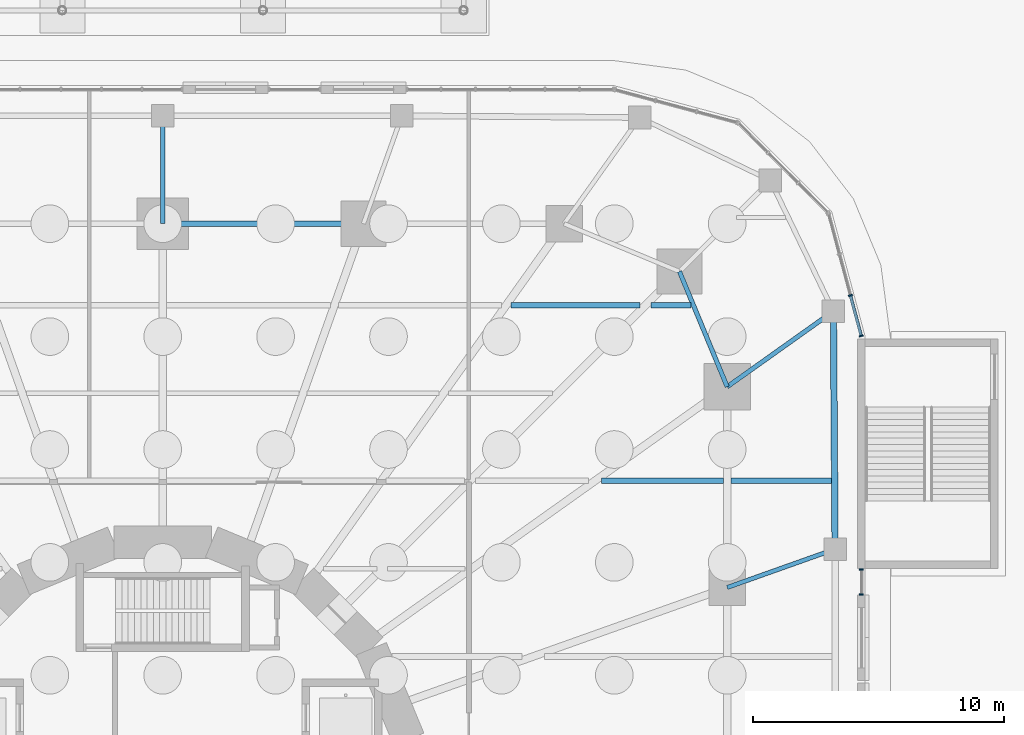
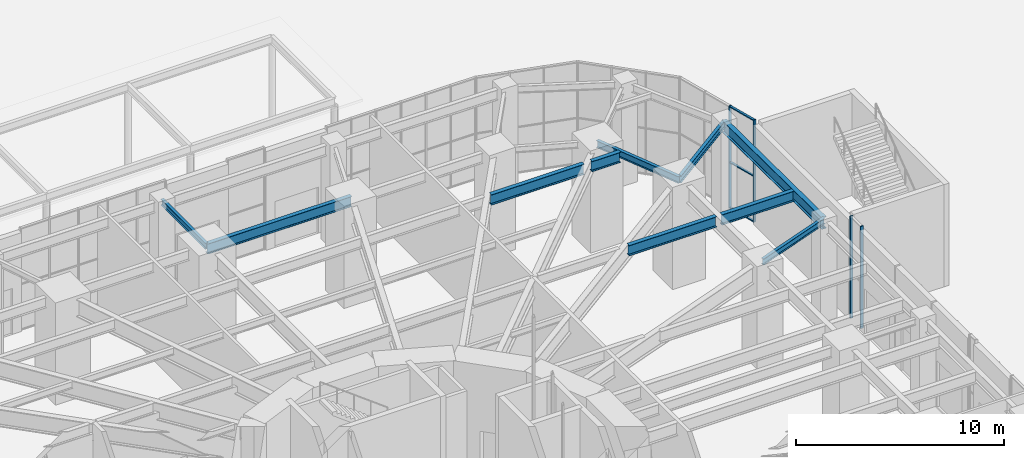
# One storey, part 16 of 43: 10 beams, 7 members, 2 elements without a shape of their own.
"""IFC4 building model written with IfcOpenShell, lengths in metres."""

from ifc_helpers import new_model, si_unit, direction, frame, origin, origin_2d, place, context, subcontext, project, spatial, rectangle, i_section, extrude, material, material_profile, profile_set, type_object, element, aggregate, save


model = new_model("IFC4")

# Units and contexts
model_context = context("Model", 3, precision=1e-05, world=origin(), true_north=direction((0.0, 1.0)))
body_context = subcontext(model_context, "Body", "Model", "MODEL_VIEW")
ifc_project = project(units=[si_unit("LENGTHUNIT", "METRE"), si_unit("AREAUNIT", "SQUARE_METRE"), si_unit("VOLUMEUNIT", "CUBIC_METRE"), si_unit("PLANEANGLEUNIT", "RADIAN"), si_unit("MASSUNIT", "GRAM", prefix="KILO")], contexts=[model_context])

# Site, building, storey
site_placement = place(None, origin())
site = spatial("IfcSite", under=ifc_project, at=site_placement, CompositionType="ELEMENT")
building_placement = place(site_placement, origin())
building = spatial("IfcBuilding", under=site, at=building_placement, Name="Nakasero Lantern House", CompositionType="ELEMENT")
storey_placement = place(building_placement, origin())
storey = spatial("IfcBuildingStorey", under=building, at=storey_placement, Name="L00", CompositionType="ELEMENT", Elevation=0.0)

# Beams
ifc_material_1 = material(Name="Steel S355", Category="steel")
ifc_material_profile_1 = material_profile(ifc_material_1, i_section(OverallWidth=0.22900390625, OverallDepth=0.6123046875, WebThickness=0.011962890625, FlangeThickness=0.01953125, FilletRadius=0.0126953125, at=origin_2d()), Name="UB 610x229x125")
ifc_profile_set_1 = profile_set([ifc_material_profile_1], Name="Steel S355")
beam_type_1 = type_object("IfcBeamType", Name="Infill beam UB 610x229x125", PredefinedType="JOIST", material=ifc_profile_set_1)
beam_1_placement = place(storey_placement, frame((17.488037109375, 12.25, 5.493896484375), z_axis=(1.0, 0.0, 0.0), x_axis=(0.0, 1.0, 0.0)))
element("IfcBeam", 1, at=beam_1_placement, inside=storey, type_object=beam_type_1, Name="Infill beam L01 12.11", PredefinedType="JOIST", context=body_context, shape_type="SweptSolid", body=[
    extrude(i_section(OverallWidth=0.22900390625, OverallDepth=0.6123046875, WebThickness=0.011962890625, FlangeThickness=0.01953125, FilletRadius=0.0126953125, at=origin_2d()), origin(), (0.0, 0.0, 1.0), 4.862060546875),
])
beam_2_placement = place(storey_placement, frame((22.64990234375, 12.25, 5.493896484375), z_axis=(1.0, 0.0, 0.0), x_axis=(0.0, 1.0, 0.0)))
element("IfcBeam", 2, at=beam_2_placement, inside=storey, type_object=beam_type_1, Name="Infill beam L01 12.12", PredefinedType="JOIST", context=body_context, shape_type="SweptSolid", body=[
    extrude(i_section(OverallWidth=0.22900390625, OverallDepth=0.6123046875, WebThickness=0.011962890625, FlangeThickness=0.01953125, FilletRadius=0.0126953125, at=origin_2d()), origin(), (0.0, 0.0, 1.0), 4.003173828125),
])
beam_3_placement = place(storey_placement, frame((13.876220703125, 19.25, 5.493896484375), z_axis=(1.0, 0.0, 0.0), x_axis=(0.0, 1.0, 0.0)))
element("IfcBeam", 3, at=beam_3_placement, inside=storey, type_object=beam_type_1, Name="Infill beam L01 14.7", PredefinedType="JOIST", context=body_context, shape_type="SweptSolid", body=[
    extrude(i_section(OverallWidth=0.22900390625, OverallDepth=0.6123046875, WebThickness=0.011962890625, FlangeThickness=0.01953125, FilletRadius=0.0126953125, at=origin_2d()), origin(), (0.0, 0.0, 1.0), 5.15771484375),
])
beam_4_placement = place(storey_placement, frame((19.466064453125, 19.25, 5.493896484375), z_axis=(1.0, 0.0, 0.0), x_axis=(0.0, 1.0, 0.0)))
element("IfcBeam", 4, at=beam_4_placement, inside=storey, type_object=beam_type_1, Name="Infill beam L01 14.8", PredefinedType="JOIST", context=body_context, shape_type="SweptSolid", body=[
    extrude(i_section(OverallWidth=0.22900390625, OverallDepth=0.6123046875, WebThickness=0.011962890625, FlangeThickness=0.01953125, FilletRadius=0.0126953125, at=origin_2d()), origin(), (0.0, 0.0, 1.0), 1.591552734375),
])

# Curtain wall, members
ifc_material_2 = material(Name="Aluminium 6063-T6 and glass", Category="aluminium")
curtain_wall_type = type_object("IfcCurtainWallType", Name="Podium shopfront glazing CW-1", PredefinedType="USERDEFINED", material=ifc_material_2)
curtain_wall_1_placement = place(storey_placement, origin())
curtain_wall_1 = element("IfcCurtainWall", 5, at=curtain_wall_1_placement, inside=storey, type_object=curtain_wall_type, Name="Curtain wall CW-1 L00", ObjectType="STICK CURTAIN WALL", PredefinedType="USERDEFINED")
ifc_material_3 = material(Name="Aluminium 6063-T6", Category="aluminium")
ifc_material_profile_2 = material_profile(ifc_material_3, rectangle(XDim=0.06005859375, YDim=0.159912109375, at=origin_2d()), Name="CW-1 mullion 60x160")
ifc_profile_set_2 = profile_set([ifc_material_profile_2], Name="Aluminium 6063-T6")
member_type_1 = type_object("IfcMemberType", Name="Mullion CW-1", PredefinedType="MULLION", material=ifc_profile_set_2)
member_1_placement = place(storey_placement, frame((27.85009765625, 7.72998046875, 0.0), z_axis=(0.0, 0.0, 1.0), x_axis=(0.0, 1.0, 0.0)))
member_1 = element("IfcMember", 6, at=member_1_placement, type_object=member_type_1, Name="CW-1 mullion 1", PredefinedType="MULLION", context=body_context, shape_type="SweptSolid", body=[
    extrude(rectangle(XDim=0.06005859375, YDim=0.159912109375, at=origin_2d()), origin(), (0.0, 0.0, 1.0), 6.0),
])
member_2_placement = place(storey_placement, frame((27.85009765625, 8.719970703125, 0.0), z_axis=(0.0, 0.0, 1.0), x_axis=(0.0, 1.0, 0.0)))
member_2 = element("IfcMember", 7, at=member_2_placement, type_object=member_type_1, Name="CW-1 mullion 2", PredefinedType="MULLION", context=body_context, shape_type="SweptSolid", body=[
    extrude(rectangle(XDim=0.06005859375, YDim=0.159912109375, at=origin_2d()), origin(), (0.0, 0.0, 1.0), 6.0),
])
aggregate(curtain_wall_1, [member_1, member_2])

curtain_wall_2_placement = place(storey_placement, origin())
curtain_wall_2 = element("IfcCurtainWall", 8, at=curtain_wall_2_placement, inside=storey, type_object=curtain_wall_type, Name="Curtain wall CW-1 L00", ObjectType="STICK CURTAIN WALL", PredefinedType="USERDEFINED")
member_3_placement = place(storey_placement, frame((27.84228515625, 18.029052734375, 0.0), z_axis=(0.0, 0.0, 1.0), x_axis=(-0.258819045103, 0.965925826289, 0.0)))
member_3 = element("IfcMember", 9, at=member_3_placement, type_object=member_type_1, Name="CW-1 mullion 1", PredefinedType="MULLION", context=body_context, shape_type="SweptSolid", body=[
    extrude(rectangle(XDim=0.06005859375, YDim=0.159912109375, at=origin_2d()), origin(), (0.0, 0.0, 1.0), 6.0),
])
member_4_placement = place(storey_placement, frame((27.41015625, 19.6416015625, 0.0), z_axis=(0.0, 0.0, 1.0), x_axis=(-0.258819045103, 0.965925826289, 0.0)))
member_4 = element("IfcMember", 10, at=member_4_placement, type_object=member_type_1, Name="CW-1 mullion 2", PredefinedType="MULLION", context=body_context, shape_type="SweptSolid", body=[
    extrude(rectangle(XDim=0.06005859375, YDim=0.159912109375, at=origin_2d()), origin(), (0.0, 0.0, 1.0), 6.0),
])

# Beams
ifc_material_4 = material(Name="Steel S355", Category="steel")
ifc_material_profile_3 = material_profile(ifc_material_4, i_section(OverallWidth=0.17138671875, OverallDepth=0.35498046875, WebThickness=0.00732421875, FlangeThickness=0.011474609375, FilletRadius=0.01025390625, at=origin_2d()), Name="UB 356x171x51")
ifc_profile_set_3 = profile_set([ifc_material_profile_3], Name="Steel S355")
beam_type_2 = type_object("IfcBeamType", Name="Primary beam UB 356x171x51, span to 6 m", PredefinedType="BEAM", material=ifc_profile_set_3)
beam_5_placement = place(storey_placement, frame((26.800048828125, 9.52880859375, 5.62255859375), z_axis=(-0.942221444489, -0.334990670833, 0.0), x_axis=(0.334990670833, -0.942221444489, 0.0)))
element("IfcBeam", 11, at=beam_5_placement, inside=storey, type_object=beam_type_2, Name="Primary beam L01 POD-C04", PredefinedType="BEAM", context=body_context, shape_type="SweptSolid", body=[
    extrude(i_section(OverallWidth=0.17138671875, OverallDepth=0.35498046875, WebThickness=0.00732421875, FlangeThickness=0.011474609375, FilletRadius=0.01025390625, at=origin_2d()), origin(), (0.0, 0.0, 1.0), 4.563720703125),
])
beam_6_placement = place(storey_placement, frame((0.0, 26.800048828125, 5.62255859375), z_axis=(0.0, -1.0, 0.0), x_axis=(1.0, 0.0, 0.0)))
element("IfcBeam", 12, at=beam_6_placement, inside=storey, type_object=beam_type_2, Name="Primary beam L01 POD-C09", PredefinedType="BEAM", context=body_context, shape_type="SweptSolid", body=[
    extrude(i_section(OverallWidth=0.17138671875, OverallDepth=0.35498046875, WebThickness=0.00732421875, FlangeThickness=0.011474609375, FilletRadius=0.01025390625, at=origin_2d()), origin(), (0.0, 0.0, 1.0), 4.300048828125),
])
ifc_material_5 = material(Name="Steel S355", Category="steel")
ifc_material_profile_4 = material_profile(ifc_material_5, i_section(OverallWidth=0.177978515625, OverallDepth=0.406494140625, WebThickness=0.0078125, FlangeThickness=0.0126953125, FilletRadius=0.01025390625, at=origin_2d()), Name="UB 406x178x60")
ifc_profile_set_4 = profile_set([ifc_material_profile_4], Name="Steel S355")
beam_type_3 = type_object("IfcBeamType", Name="Primary beam UB 406x178x60, span to 6 m", PredefinedType="BEAM", material=ifc_profile_set_4)
beam_7_placement = place(storey_placement, frame((26.733642578125, 19.0107421875, 5.5966796875), z_axis=(-0.814941514044, -0.57954320692, 0.0), x_axis=(0.57954320692, -0.814941514044, 0.0)))
element("IfcBeam", 13, at=beam_7_placement, inside=storey, type_object=beam_type_3, Name="Primary beam L01 POD-C05", PredefinedType="BEAM", context=body_context, shape_type="SweptSolid", body=[
    extrude(i_section(OverallWidth=0.177978515625, OverallDepth=0.406494140625, WebThickness=0.0078125, FlangeThickness=0.0126953125, FilletRadius=0.01025390625, at=origin_2d()), origin(), (0.0, 0.0, 1.0), 5.195068359375),
])
ifc_material_6 = material(Name="Steel S355", Category="steel")
ifc_material_profile_5 = material_profile(ifc_material_6, i_section(OverallWidth=0.177978515625, OverallDepth=0.406494140625, WebThickness=0.0078125, FlangeThickness=0.0126953125, FilletRadius=0.01025390625, at=origin_2d()), Name="UB 406x178x60")
ifc_profile_set_5 = profile_set([ifc_material_profile_5], Name="Steel S355")
beam_type_4 = type_object("IfcBeamType", Name="Ring beam UB 406x178x60", PredefinedType="BEAM", material=ifc_profile_set_5)
beam_8_placement = place(storey_placement, frame((22.5, 16.0, 5.5966796875), z_axis=(-0.382684080569, 0.923879264016, 0.0), x_axis=(-0.923879264016, -0.382684080569, 0.0)))
element("IfcBeam", 14, at=beam_8_placement, inside=storey, type_object=beam_type_4, Name="Ring beam L01 B1-C05", PredefinedType="BEAM", context=body_context, shape_type="SweptSolid", body=[
    extrude(i_section(OverallWidth=0.177978515625, OverallDepth=0.406494140625, WebThickness=0.0078125, FlangeThickness=0.0126953125, FilletRadius=0.01025390625, at=origin_2d()), origin(), (0.0, 0.0, 1.0), 4.974853515625),
])
ifc_material_7 = material(Name="Steel S355", Category="steel")
ifc_material_profile_6 = material_profile(ifc_material_7, i_section(OverallWidth=0.2275390625, OverallDepth=0.6025390625, WebThickness=0.010498046875, FlangeThickness=0.014892578125, FilletRadius=0.0126953125, at=origin_2d()), Name="UB 610x229x101")
ifc_profile_set_6 = profile_set([ifc_material_profile_6], Name="Steel S355")
beam_type_5 = type_object("IfcBeamType", Name="Ring beam UB 610x229x101", PredefinedType="BEAM", material=ifc_profile_set_6)
beam_9_placement = place(storey_placement, frame((8.0, 22.5, 5.498779296875), z_axis=(-1.0, 0.0, 0.0), x_axis=(0.0, -1.0, 0.0)))
element("IfcBeam", 15, at=beam_9_placement, inside=storey, type_object=beam_type_5, Name="Ring beam L01 B1-C08", PredefinedType="BEAM", context=body_context, shape_type="SweptSolid", body=[
    extrude(i_section(OverallWidth=0.2275390625, OverallDepth=0.6025390625, WebThickness=0.010498046875, FlangeThickness=0.014892578125, FilletRadius=0.0126953125, at=origin_2d()), origin(), (0.0, 0.0, 1.0), 8.0),
])
ifc_material_8 = material(Name="Steel S355", Category="steel")
ifc_material_profile_7 = material_profile(ifc_material_8, i_section(OverallWidth=0.255859375, OverallDepth=0.69287109375, WebThickness=0.014404296875, FlangeThickness=0.023681640625, FilletRadius=0.01513671875, at=origin_2d()), Name="UB 686x254x170")
ifc_profile_set_7 = profile_set([ifc_material_profile_7], Name="Steel S355")
beam_type_6 = type_object("IfcBeamType", Name="Ring beam UB 686x254x170", PredefinedType="BEAM", material=ifc_profile_set_7)
beam_10_placement = place(storey_placement, frame((26.800048828125, 9.52880859375, 5.45361328125), z_axis=(-0.007003278482, 0.999975476745, 0.0), x_axis=(-0.999975476745, -0.007003278482, 0.0)))
element("IfcBeam", 16, at=beam_10_placement, inside=storey, type_object=beam_type_6, Name="Ring beam L01 POD-C04", PredefinedType="BEAM", context=body_context, shape_type="SweptSolid", body=[
    extrude(i_section(OverallWidth=0.255859375, OverallDepth=0.69287109375, WebThickness=0.014404296875, FlangeThickness=0.023681640625, FilletRadius=0.01513671875, at=origin_2d()), origin(), (0.0, 0.0, 1.0), 9.482177734375),
])

# Member
ifc_material_9 = material(Name="Aluminium 6063-T6", Category="aluminium")
ifc_material_profile_8 = material_profile(ifc_material_9, rectangle(XDim=0.06005859375, YDim=0.1201171875, at=origin_2d()), Name="CW-1 transom 60x120")
ifc_profile_set_8 = profile_set([ifc_material_profile_8], Name="Aluminium 6063-T6")
member_type_2 = type_object("IfcMemberType", Name="Transom CW-1", PredefinedType="USERDEFINED", material=ifc_profile_set_8)
member_5_placement = place(storey_placement, frame((27.83447265625, 18.057861328125, 0.030029296875), z_axis=(-0.258738612203, 0.96594737463, 0.0), x_axis=(0.0, 0.0, 1.0)))
member_5 = element("IfcMember", 17, at=member_5_placement, type_object=member_type_2, Name="CW-1 transom 1.1", ObjectType="TRANSOM", PredefinedType="USERDEFINED", context=body_context, shape_type="SweptSolid", body=[
    extrude(rectangle(XDim=0.06005859375, YDim=0.1201171875, at=origin_2d()), origin(), (0.0, 0.0, 1.0), 1.60986328125),
])

member_6_placement = place(storey_placement, frame((27.83447265625, 18.057861328125, 2.699951171875), z_axis=(-0.258738612203, 0.96594737463, 0.0), x_axis=(0.0, 0.0, 1.0)))
member_6 = element("IfcMember", 18, at=member_6_placement, type_object=member_type_2, Name="CW-1 transom 1.2", ObjectType="TRANSOM", PredefinedType="USERDEFINED", context=body_context, shape_type="SweptSolid", body=[
    extrude(rectangle(XDim=0.06005859375, YDim=0.1201171875, at=origin_2d()), origin(), (0.0, 0.0, 1.0), 1.60986328125),
])

member_7_placement = place(storey_placement, frame((27.83447265625, 18.057861328125, 5.969970703125), z_axis=(-0.258738612203, 0.96594737463, 0.0), x_axis=(0.0, 0.0, 1.0)))
member_7 = element("IfcMember", 19, at=member_7_placement, type_object=member_type_2, Name="CW-1 transom 1.3", ObjectType="TRANSOM", PredefinedType="USERDEFINED", context=body_context, shape_type="SweptSolid", body=[
    extrude(rectangle(XDim=0.06005859375, YDim=0.1201171875, at=origin_2d()), origin(), (0.0, 0.0, 1.0), 1.60986328125),
])

aggregate(curtain_wall_2, [member_3, member_4, member_5, member_6, member_7])

save(model, "model.ifc")
